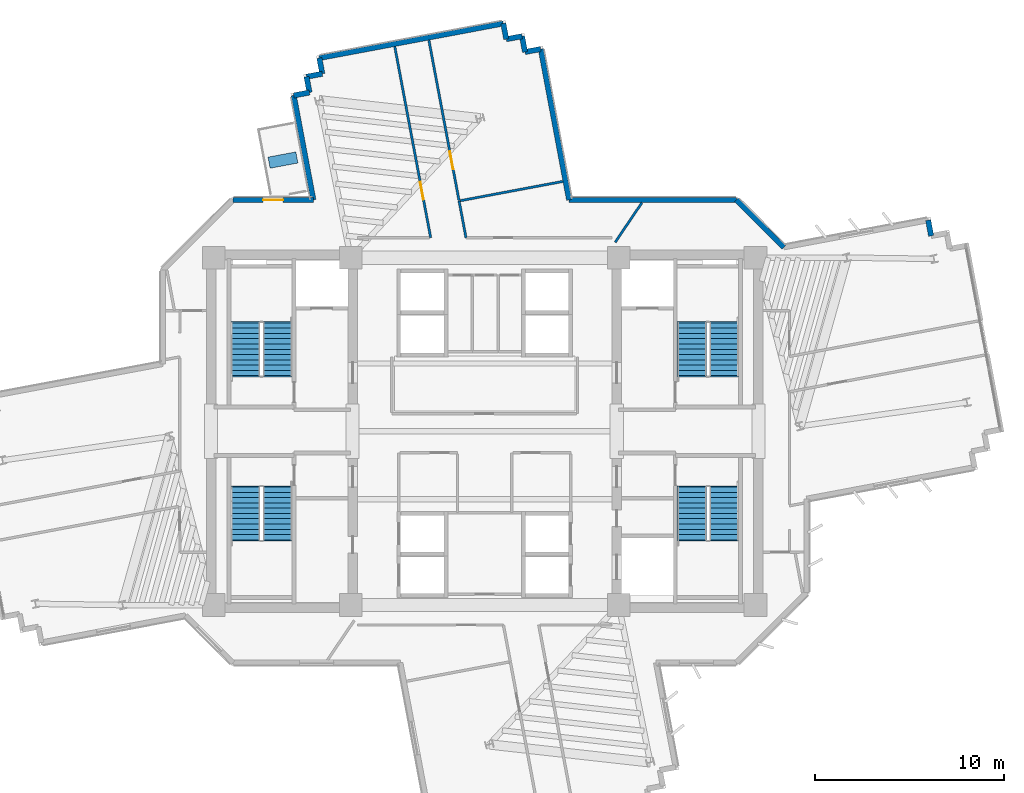
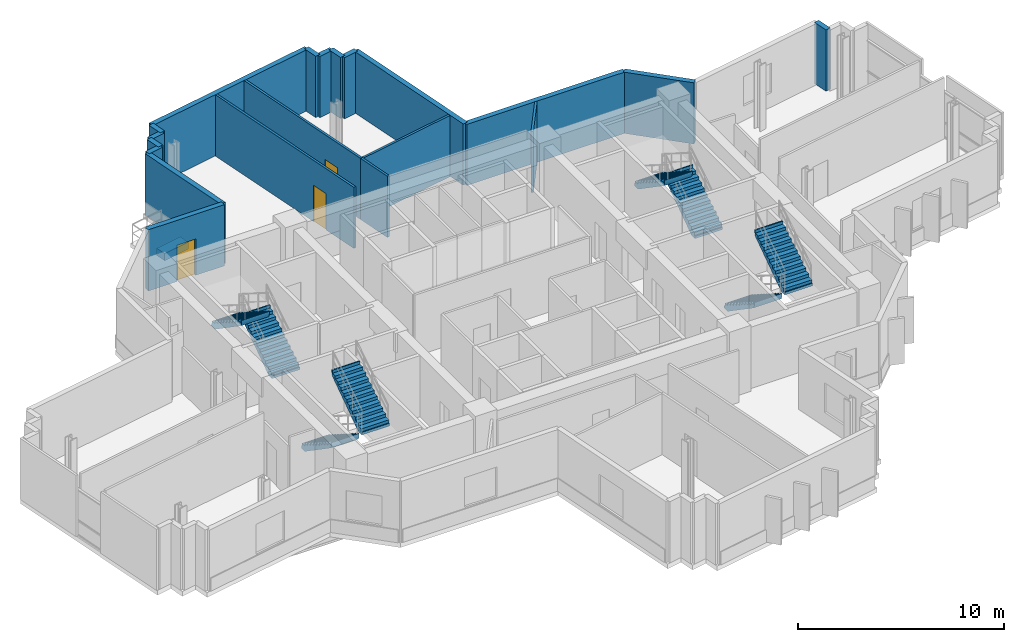
# One storey, part 12 of 16: 20 walls, 8 stair flights, 3 doors, 1 discrete accessory, 3 openings, 4 elements without a shape of their own.
"""IFC4 building model written with IfcOpenShell, lengths in metres."""

from ifc_helpers import new_model, si_unit, direction, frame, frame_2d, origin, origin_2d, place, context, subcontext, project, spatial, polyline, rectangle, outline, extrude, source, transform, mapped, material, layer, layer_set, type_object, element, fill, aggregate, save


model = new_model("IFC4")

# Units and contexts
model_context = context("Model", 3, precision=1e-05, world=origin(), true_north=direction((0.0, 1.0)))
body_context = subcontext(model_context, "Body", "Model", "MODEL_VIEW")
ifc_project = project(units=[si_unit("LENGTHUNIT", "METRE"), si_unit("AREAUNIT", "SQUARE_METRE"), si_unit("VOLUMEUNIT", "CUBIC_METRE"), si_unit("PLANEANGLEUNIT", "RADIAN"), si_unit("MASSUNIT", "GRAM", prefix="KILO")], contexts=[model_context])

# Site, building, storey
site_placement = place(None, origin())
site = spatial("IfcSite", under=ifc_project, at=site_placement, CompositionType="ELEMENT")
building_placement = place(site_placement, origin())
building = spatial("IfcBuilding", under=site, at=building_placement, Name="Zahravan Cultural Tower", CompositionType="ELEMENT")
storey_placement = place(building_placement, frame((0.0, 0.0, 155.10009765625)))
storey = spatial("IfcBuildingStorey", under=building, at=storey_placement, Name="L35", CompositionType="ELEMENT", Elevation=155.10009765625)

# Wall, opening, door
ifc_material_1 = material(Name="Precast concrete C40/50", Category="concrete")
ifc_layer_1 = layer(ifc_material_1, 0.280029296875)
ifc_layer_set_1 = layer_set([ifc_layer_1], Name="Precast concrete C40/50")
wall_type_1 = type_object("IfcWallType", Name="EW-TC-280", PredefinedType="SOLIDWALL", material=ifc_layer_set_1)
wall_1_placement = place(storey_placement, frame((22.657958984375, 39.260009765625, 0.0), z_axis=(0.0, 0.0, 1.0), x_axis=(1.0, 0.0, 0.0)))
wall_1 = element("IfcWall", 1, at=wall_1_placement, inside=storey, type_object=wall_type_1, Name="L35 Exterior Masonry Frame Wall 39", PredefinedType="SOLIDWALL", context=body_context, shape_type="SweptSolid", body=[
    extrude(rectangle(XDim=4.262451171875, YDim=0.280029296875, at=frame_2d((2.13134765625, 0.0))), origin(), (0.0, 0.0, 1.0), 3.619873046875),
])
opening_1_placement = place(wall_1_placement, frame((1.60595703125, 0.0, 0.0)))
opening_1 = element("IfcOpeningElement", 2, at=opening_1_placement, cuts=wall_1, Name="Opening D-L35-TR-NW", PredefinedType="OPENING", context=body_context, shape_type="SweptSolid", body=[
    extrude(rectangle(XDim=1.050048828125, YDim=2.14990234375, at=frame_2d((0.52490234375, 1.074951171875))), frame((0.0, 0.14990234375, 0.0), z_axis=(0.0, -1.0, 0.0), x_axis=(1.0, 0.0, 0.0)), (0.0, 0.0, 1.0), 0.300048828125),
])
ifc_material_2 = material(Name="Anodised bronze-aluminium mullion", Category="aluminium")
door_type_1 = type_object("IfcDoorType", Name="DR-TERR-1050", OperationType="NOTDEFINED", PredefinedType="DOOR", material=ifc_material_2)
shared_shape_1 = source(origin(), body_context, "Body", "SweptSolid", [
    extrude(rectangle(XDim=1.050048828125, YDim=2.14990234375, at=frame_2d((0.52490234375, 1.074951171875))), frame((0.0, 0.02490234375, 0.0), z_axis=(0.0, -1.0, 0.0), x_axis=(1.0, 0.0, 0.0)), (0.0, 0.0, 1.0), 0.050048828125),
])
door_1_placement = place(opening_1_placement, origin())
door_1 = element("IfcDoor", 3, at=door_1_placement, inside=storey, type_object=door_type_1, Name="L35 Terrace Access Door NW", OperationType="SINGLE_SWING_RIGHT", OverallHeight=2.14990234375, OverallWidth=1.050048828125, PredefinedType="DOOR", context=body_context, shape_type="MappedRepresentation", body=[
    mapped(shared_shape_1, transform((0.0, 0.0, 0.0), x_axis=(1.0, 0.0, 0.0), y_axis=(0.0, 1.0, 0.0), z_axis=(0.0, 0.0, 1.0), scale=1.0)),
])
fill(opening_1, door_1)

ifc_material_3 = material(Name="Gypsum plasterboard partition")
ifc_layer_2 = layer(ifc_material_3, 0.125)
ifc_layer_set_2 = layer_set([ifc_layer_2], Name="Gypsum plasterboard partition")
wall_type_2 = type_object("IfcWallType", Name="W-PART-125", PredefinedType="PARTITIONING", material=ifc_layer_set_2)
wall_2_placement = place(storey_placement, frame((34.638671875, 39.22900390625, 0.0), z_axis=(0.0, 0.0, 1.0), x_axis=(-0.18463806937, 0.982806584908, 0.0)))
wall_2 = element("IfcWall", 4, at=wall_2_placement, inside=storey, type_object=wall_type_2, Name="L35 Interior Wall 087", PredefinedType="PARTITIONING", context=body_context, shape_type="SweptSolid", body=[
    extrude(rectangle(XDim=8.64501953125, YDim=0.125, at=frame_2d((4.322509765625, 0.0))), origin(), (0.0, 0.0, 1.0), 3.619873046875),
])
opening_2_placement = place(wall_2_placement, frame((1.69287109375, 0.0, 0.0)))
opening_2 = element("IfcOpeningElement", 5, at=opening_2_placement, cuts=wall_2, Name="Opening D-L35-22", PredefinedType="OPENING", context=body_context, shape_type="SweptSolid", body=[
    extrude(rectangle(XDim=0.949951171875, YDim=2.14990234375, at=frame_2d((0.47509765625, 1.074951171875))), frame((0.0, 0.072509765625, 0.0), z_axis=(0.0, -1.0, 0.0), x_axis=(1.0, 0.0, 0.0)), (0.0, 0.0, 1.0), 0.14501953125),
])
door_type_2 = type_object("IfcDoorType", Name="DR-ROOM-950", OperationType="NOTDEFINED", PredefinedType="DOOR", material=ifc_material_2)
shared_shape_2 = source(origin(), body_context, "Body", "SweptSolid", [
    extrude(rectangle(XDim=0.949951171875, YDim=2.14990234375, at=frame_2d((0.47509765625, 1.074951171875))), frame((0.0, 0.02490234375, 0.0), z_axis=(0.0, -1.0, 0.0), x_axis=(1.0, 0.0, 0.0)), (0.0, 0.0, 1.0), 0.050048828125),
])
door_2_placement = place(opening_2_placement, origin())
door_2 = element("IfcDoor", 6, at=door_2_placement, inside=storey, type_object=door_type_2, Name="L35 Door D-L35-22", OperationType="SINGLE_SWING_RIGHT", OverallHeight=2.14990234375, OverallWidth=0.949951171875, PredefinedType="DOOR", context=body_context, shape_type="MappedRepresentation", body=[
    mapped(shared_shape_2, transform((0.0, 0.0, 0.0), x_axis=(1.0, 0.0, 0.0), y_axis=(0.0, 1.0, 0.0), z_axis=(0.0, 0.0, 1.0), scale=1.0)),
])
fill(opening_2, door_2)

wall_3_placement = place(storey_placement, frame((31.234130859375, 47.385498046875, 0.0), z_axis=(0.0, 0.0, 1.0), x_axis=(0.184646211839, -0.982805055163, 0.0)))
wall_3 = element("IfcWall", 7, at=wall_3_placement, inside=storey, type_object=wall_type_2, Name="L35 Interior Wall 099", PredefinedType="PARTITIONING", context=body_context, shape_type="SweptSolid", body=[
    extrude(rectangle(XDim=10.302734375, YDim=0.125, at=frame_2d((5.1513671875, 0.0))), origin(), (0.0, 0.0, 1.0), 3.619873046875),
])
opening_3_placement = place(wall_3_placement, frame((7.295166015625, 0.0, 0.0)))
opening_3 = element("IfcOpeningElement", 8, at=opening_3_placement, cuts=wall_3, Name="Opening D-L35-23", PredefinedType="OPENING", context=body_context, shape_type="SweptSolid", body=[
    extrude(rectangle(XDim=0.949951171875, YDim=2.14990234375, at=frame_2d((0.47509765625, 1.074951171875))), frame((0.0, 0.072509765625, 0.0), z_axis=(0.0, -1.0, 0.0), x_axis=(1.0, 0.0, 0.0)), (0.0, 0.0, 1.0), 0.14501953125),
])
door_3_placement = place(opening_3_placement, origin())
door_3 = element("IfcDoor", 9, at=door_3_placement, inside=storey, type_object=door_type_2, Name="L35 Door D-L35-23", OperationType="SINGLE_SWING_LEFT", OverallHeight=2.14990234375, OverallWidth=0.949951171875, PredefinedType="DOOR", context=body_context, shape_type="MappedRepresentation", body=[
    mapped(shared_shape_2, transform((0.0, 0.0, 0.0), x_axis=(1.0, 0.0, 0.0), y_axis=(0.0, 1.0, 0.0), z_axis=(0.0, 0.0, 1.0), scale=1.0)),
])
fill(opening_3, door_3)

# Walls
shared_shape_3 = source(origin(), body_context, "Body", "SweptSolid", [
    extrude(rectangle(XDim=0.85009765625, YDim=0.280029296875, at=frame_2d((0.425048828125, 0.0))), origin(), (0.0, 0.0, 1.0), 3.619873046875),
])
for number, where, z_axis, x_axis, name in (
    (10, (59.497802734375, 38.19091796875, 0.0), (0.0, 0.0, 1.0), (0.184670010318, -0.982800583684, 0.0), "L35 Exterior Masonry Frame Wall 02"),
    (11, (25.8798828125, 44.79736328125, 0.0), (0.0, 0.0, 1.0), (0.982800583684, 0.184670010318, 0.0), "L35 Exterior Masonry Frame Wall 41"),
    (12, (26.71533203125, 44.954345703125, 0.0), (0.0, 0.0, 1.0), (-0.184670010318, 0.982800583684, 0.0), "L35 Exterior Masonry Frame Wall 42"),
    (13, (26.558349609375, 45.789794921875, 0.0), (0.0, 0.0, 1.0), (0.982800583684, 0.184670010318, 0.0), "L35 Exterior Masonry Frame Wall 43"),
    (14, (27.393798828125, 45.94677734375, 0.0), (0.0, 0.0, 1.0), (-0.184670010318, 0.982800583684, 0.0), "L35 Exterior Masonry Frame Wall 44"),
    (15, (36.986083984375, 48.61376953125, 0.0), (0.0, 0.0, 1.0), (0.184670010318, -0.982800583684, 0.0), "L35 Exterior Masonry Frame Wall 46"),
    (16, (37.14306640625, 47.7783203125, 0.0), (0.0, 0.0, 1.0), (0.982800583684, 0.184670010318, 0.0), "L35 Exterior Masonry Frame Wall 47"),
    (17, (37.978515625, 47.935302734375, 0.0), (0.0, 0.0, 1.0), (0.184670010318, -0.982800583684, 0.0), "L35 Exterior Masonry Frame Wall 48"),
    (18, (38.135498046875, 47.099853515625, 0.0), (0.0, 0.0, 1.0), (0.982800583684, 0.184670010318, 0.0), "L35 Exterior Masonry Frame Wall 49"),
):
    element("IfcWall", number, at=place(storey_placement, frame(where, z_axis=z_axis, x_axis=x_axis)), inside=storey, type_object=wall_type_1, Name=name, PredefinedType="SOLIDWALL", context=body_context, shape_type="MappedRepresentation", body=[
        mapped(shared_shape_3, transform((0.0, 0.0, 0.0), x_axis=(1.0, 0.0, 0.0), y_axis=(0.0, 1.0, 0.0), z_axis=(0.0, 0.0, 1.0), scale=1.0)),
    ])
shared_shape_4 = source(origin(), body_context, "Body", "SweptSolid", [
    extrude(rectangle(XDim=9.919921875, YDim=0.280029296875, at=frame_2d((4.9599609375, 0.0))), origin(), (0.0, 0.0, 1.0), 3.619873046875),
])
wall_4_placement = place(storey_placement, frame((27.23681640625, 46.7822265625, 0.0), z_axis=(0.0, 0.0, 1.0), x_axis=(0.982807207568, 0.184634754994, 0.0)))
element("IfcWall", 19, at=wall_4_placement, inside=storey, type_object=wall_type_1, Name="L35 Exterior Masonry Frame Wall 45", PredefinedType="SOLIDWALL", context=body_context, shape_type="MappedRepresentation", body=[
    mapped(shared_shape_4, transform((0.0, 0.0, 0.0), x_axis=(1.0, 0.0, 0.0), y_axis=(0.0, 1.0, 0.0), z_axis=(0.0, 0.0, 1.0), scale=1.0)),
])
shared_shape_5 = source(origin(), body_context, "Body", "SweptSolid", [
    extrude(rectangle(XDim=5.63427734375, YDim=0.280029296875, at=frame_2d((2.817138671875, 0.0))), origin(), (0.0, 0.0, 1.0), 3.619873046875),
])
wall_5_placement = place(storey_placement, frame((26.92041015625, 39.260009765625, 0.0), z_axis=(0.0, 0.0, 1.0), x_axis=(-0.184678339457, 0.982799018587, 0.0)))
element("IfcWall", 20, at=wall_5_placement, inside=storey, type_object=wall_type_1, Name="L35 Exterior Masonry Frame Wall 40", PredefinedType="SOLIDWALL", context=body_context, shape_type="MappedRepresentation", body=[
    mapped(shared_shape_5, transform((0.0, 0.0, 0.0), x_axis=(1.0, 0.0, 0.0), y_axis=(0.0, 1.0, 0.0), z_axis=(0.0, 0.0, 1.0), scale=1.0)),
])
shared_shape_6 = source(origin(), body_context, "Body", "SweptSolid", [
    extrude(rectangle(XDim=8.13671875, YDim=0.280029296875, at=frame_2d((4.068359375, 0.0))), origin(), (0.0, 0.0, 1.0), 3.619873046875),
])
wall_6_placement = place(storey_placement, frame((38.970947265625, 47.2568359375, 0.0), z_axis=(0.0, 0.0, 1.0), x_axis=(0.184649032166, -0.982804525285, 0.0)))
element("IfcWall", 21, at=wall_6_placement, inside=storey, type_object=wall_type_1, Name="L35 Exterior Masonry Frame Wall 50", PredefinedType="SOLIDWALL", context=body_context, shape_type="MappedRepresentation", body=[
    mapped(shared_shape_6, transform((0.0, 0.0, 0.0), x_axis=(1.0, 0.0, 0.0), y_axis=(0.0, 1.0, 0.0), z_axis=(0.0, 0.0, 1.0), scale=1.0)),
])
shared_shape_7 = source(origin(), body_context, "Body", "SweptSolid", [
    extrude(rectangle(XDim=8.86865234375, YDim=0.280029296875, at=frame_2d((4.434326171875, 0.0))), origin(), (0.0, 0.0, 1.0), 3.619873046875),
])
wall_7_placement = place(storey_placement, frame((40.473388671875, 39.260009765625, 0.0), z_axis=(0.0, 0.0, 1.0), x_axis=(1.0, 0.0, 0.0)))
element("IfcWall", 22, at=wall_7_placement, inside=storey, type_object=wall_type_1, Name="L35 Exterior Masonry Frame Wall 51", PredefinedType="SOLIDWALL", context=body_context, shape_type="MappedRepresentation", body=[
    mapped(shared_shape_7, transform((0.0, 0.0, 0.0), x_axis=(1.0, 0.0, 0.0), y_axis=(0.0, 1.0, 0.0), z_axis=(0.0, 0.0, 1.0), scale=1.0)),
])
shared_shape_8 = source(origin(), body_context, "Body", "SweptSolid", [
    extrude(rectangle(XDim=3.544189453125, YDim=0.280029296875, at=frame_2d((1.77197265625, 0.0))), origin(), (0.0, 0.0, 1.0), 3.619873046875),
])
wall_8_placement = place(storey_placement, frame((49.342041015625, 39.260009765625, 0.0), z_axis=(0.0, 0.0, 1.0), x_axis=(0.707106781187, -0.707106781187, 0.0)))
element("IfcWall", 23, at=wall_8_placement, inside=storey, type_object=wall_type_1, Name="L35 Exterior Masonry Frame Wall 52", PredefinedType="SOLIDWALL", context=body_context, shape_type="MappedRepresentation", body=[
    mapped(shared_shape_8, transform((0.0, 0.0, 0.0), x_axis=(1.0, 0.0, 0.0), y_axis=(0.0, 1.0, 0.0), z_axis=(0.0, 0.0, 1.0), scale=1.0)),
])
shared_shape_9 = source(origin(), body_context, "Body", "SweptSolid", [
    extrude(rectangle(XDim=1.9833984375, YDim=0.125, at=frame_2d((0.99169921875, 0.0))), origin(), (0.0, 0.0, 1.0), 3.619873046875),
])
wall_9_placement = place(storey_placement, frame((35.008544921875, 37.260009765625, 0.0), z_axis=(0.0, 0.0, 1.0), x_axis=(-0.184645271511, 0.982805231828, 0.0)))
element("IfcWall", 24, at=wall_9_placement, inside=storey, type_object=wall_type_2, Name="L35 Interior Wall 077", PredefinedType="PARTITIONING", context=body_context, shape_type="MappedRepresentation", body=[
    mapped(shared_shape_9, transform((0.0, 0.0, 0.0), x_axis=(1.0, 0.0, 0.0), y_axis=(0.0, 1.0, 0.0), z_axis=(0.0, 0.0, 1.0), scale=1.0)),
])
shared_shape_10 = source(origin(), body_context, "Body", "SweptSolid", [
    extrude(rectangle(XDim=5.52734375, YDim=0.125, at=frame_2d((2.763671875, 0.0))), origin(), (0.0, 0.0, 1.0), 3.619873046875),
])
wall_10_placement = place(storey_placement, frame((34.708740234375, 39.2216796875, 0.0), z_axis=(0.0, 0.0, 1.0), x_axis=(0.982808624954, 0.184627210117, 0.0)))
element("IfcWall", 25, at=wall_10_placement, inside=storey, type_object=wall_type_2, Name="L35 Interior Wall 078", PredefinedType="PARTITIONING", context=body_context, shape_type="MappedRepresentation", body=[
    mapped(shared_shape_10, transform((0.0, 0.0, 0.0), x_axis=(1.0, 0.0, 0.0), y_axis=(0.0, 1.0, 0.0), z_axis=(0.0, 0.0, 1.0), scale=1.0)),
])
shared_shape_11 = source(origin(), body_context, "Body", "SweptSolid", [
    extrude(rectangle(XDim=2.529541015625, YDim=0.125, at=frame_2d((1.2646484375, 0.0))), origin(), (0.0, 0.0, 1.0), 3.619873046875),
])
wall_11_placement = place(storey_placement, frame((44.330322265625, 39.114990234375, 0.0), z_axis=(0.0, 0.0, 1.0), x_axis=(-0.560455418396, -0.82818459536, 0.0)))
element("IfcWall", 26, at=wall_11_placement, inside=storey, type_object=wall_type_2, Name="L35 Interior Wall 079", PredefinedType="PARTITIONING", context=body_context, shape_type="MappedRepresentation", body=[
    mapped(shared_shape_11, transform((0.0, 0.0, 0.0), x_axis=(1.0, 0.0, 0.0), y_axis=(0.0, 1.0, 0.0), z_axis=(0.0, 0.0, 1.0), scale=1.0)),
])

# Stair, stair flights
ifc_material_4 = material(Name="Concrete C45/55", Category="concrete")
stair_type = type_object("IfcStairType", Name="STR-DL-1550-390", PredefinedType="HALF_TURN_STAIR", material=ifc_material_4)
stair_1_placement = place(storey_placement, origin())
stair_1 = element("IfcStair", 27, at=stair_1_placement, inside=storey, type_object=stair_type, Name="L35 West Core North Exit Stair ST-W1", PredefinedType="HALF_TURN_STAIR")
stair_flight_type = type_object("IfcStairFlightType", Name="FLG-DL-1550-390", PredefinedType="STRAIGHT", material=ifc_material_4)
stair_flight_1_placement = place(storey_placement, frame((25.02490234375, 29.949951171875, 0.0), z_axis=(0.0, 0.0, 1.0), x_axis=(0.0, 1.0, 0.0)))
stair_flight_1 = element("IfcStairFlight", 28, at=stair_flight_1_placement, type_object=stair_flight_type, Name="ST-W1 flight 1", NumberOfRisers=11, NumberOfTreads=10, PredefinedType="STRAIGHT", RiserHeight=0.177272727, TreadLength=0.28, context=body_context, shape_type="SweptSolid", body=[
    extrude(outline(polyline([(-0.06494140625, -0.139892578125), (-0.06494140625, 0.0), (0.0, 0.0), (0.0, 0.17724609375), (0.280029296875, 0.17724609375), (0.280029296875, 0.3544921875), (0.56005859375, 0.3544921875), (0.56005859375, 0.53173828125), (0.840087890625, 0.53173828125), (0.840087890625, 0.708984375), (1.1201171875, 0.708984375), (1.1201171875, 0.886474609375), (1.39990234375, 0.886474609375), (1.39990234375, 1.063720703125), (1.679931640625, 1.063720703125), (1.679931640625, 1.240966796875), (1.9599609375, 1.240966796875), (1.9599609375, 1.418212890625), (2.239990234375, 1.418212890625), (2.239990234375, 1.595458984375), (2.52001953125, 1.595458984375), (2.52001953125, 1.772705078125), (2.800048828125, 1.772705078125), (2.800048828125, 1.949951171875), (2.864990234375, 1.949951171875), (2.864990234375, 1.800048828125), (2.800048828125, 1.59521484375), (0.2802734375, -0.139892578125), (-0.06494140625, -0.139892578125)])), frame((0.0, 0.77490234375, 0.0), z_axis=(0.0, -1.0, 0.0), x_axis=(1.0, 0.0, 0.0)), (0.0, 0.0, 1.0), 1.550048828125),
])
stair_flight_2_placement = place(storey_placement, frame((23.324951171875, 32.75, 1.949951171875), z_axis=(0.0, 0.0, 1.0), x_axis=(0.0, -1.0, 0.0)))
stair_flight_2 = element("IfcStairFlight", 29, at=stair_flight_2_placement, type_object=stair_flight_type, Name="ST-W1 flight 2", NumberOfRisers=11, NumberOfTreads=10, PredefinedType="STRAIGHT", RiserHeight=0.177272727, TreadLength=0.28, context=body_context, shape_type="SweptSolid", body=[
    extrude(outline(polyline([(-0.06494140625, -0.139892578125), (-0.06494140625, 0.0), (0.0, 0.0), (0.0, 0.17724609375), (0.280029296875, 0.17724609375), (0.280029296875, 0.3544921875), (0.56005859375, 0.3544921875), (0.56005859375, 0.53173828125), (0.840087890625, 0.53173828125), (0.840087890625, 0.708984375), (1.1201171875, 0.708984375), (1.1201171875, 0.886474609375), (1.39990234375, 0.886474609375), (1.39990234375, 1.063720703125), (1.679931640625, 1.063720703125), (1.679931640625, 1.240966796875), (1.9599609375, 1.240966796875), (1.9599609375, 1.418212890625), (2.239990234375, 1.418212890625), (2.239990234375, 1.595458984375), (2.52001953125, 1.595458984375), (2.52001953125, 1.772705078125), (2.800048828125, 1.772705078125), (2.800048828125, 1.949951171875), (2.864990234375, 1.949951171875), (2.864990234375, 1.800048828125), (2.800048828125, 1.59521484375), (0.2802734375, -0.139892578125), (-0.06494140625, -0.139892578125)])), frame((0.0, 0.77490234375, 0.0), z_axis=(0.0, -1.0, 0.0), x_axis=(1.0, 0.0, 0.0)), (0.0, 0.0, 1.0), 1.550048828125),
])
aggregate(stair_1, [stair_flight_1, stair_flight_2])

stair_2_placement = place(storey_placement, origin())
stair_2 = element("IfcStair", 30, at=stair_2_placement, inside=storey, type_object=stair_type, Name="L35 West Core South Exit Stair ST-W2", PredefinedType="HALF_TURN_STAIR")
stair_flight_3_placement = place(storey_placement, frame((23.324951171875, 24.050048828125, 0.0), z_axis=(0.0, 0.0, 1.0), x_axis=(0.0, -1.0, 0.0)))
stair_flight_3 = element("IfcStairFlight", 31, at=stair_flight_3_placement, type_object=stair_flight_type, Name="ST-W2 flight 1", NumberOfRisers=11, NumberOfTreads=10, PredefinedType="STRAIGHT", RiserHeight=0.177272727, TreadLength=0.28, context=body_context, shape_type="SweptSolid", body=[
    extrude(outline(polyline([(-0.06494140625, -0.139892578125), (-0.06494140625, 0.0), (0.0, 0.0), (0.0, 0.17724609375), (0.280029296875, 0.17724609375), (0.280029296875, 0.3544921875), (0.56005859375, 0.3544921875), (0.56005859375, 0.53173828125), (0.840087890625, 0.53173828125), (0.840087890625, 0.708984375), (1.1201171875, 0.708984375), (1.1201171875, 0.886474609375), (1.39990234375, 0.886474609375), (1.39990234375, 1.063720703125), (1.679931640625, 1.063720703125), (1.679931640625, 1.240966796875), (1.9599609375, 1.240966796875), (1.9599609375, 1.418212890625), (2.239990234375, 1.418212890625), (2.239990234375, 1.595458984375), (2.52001953125, 1.595458984375), (2.52001953125, 1.772705078125), (2.800048828125, 1.772705078125), (2.800048828125, 1.949951171875), (2.864990234375, 1.949951171875), (2.864990234375, 1.800048828125), (2.800048828125, 1.59521484375), (0.2802734375, -0.139892578125), (-0.06494140625, -0.139892578125)])), frame((0.0, 0.77490234375, 0.0), z_axis=(0.0, -1.0, 0.0), x_axis=(1.0, 0.0, 0.0)), (0.0, 0.0, 1.0), 1.550048828125),
])
stair_flight_4_placement = place(storey_placement, frame((25.02490234375, 21.25, 1.949951171875), z_axis=(0.0, 0.0, 1.0), x_axis=(0.0, 1.0, 0.0)))
stair_flight_4 = element("IfcStairFlight", 32, at=stair_flight_4_placement, type_object=stair_flight_type, Name="ST-W2 flight 2", NumberOfRisers=11, NumberOfTreads=10, PredefinedType="STRAIGHT", RiserHeight=0.177272727, TreadLength=0.28, context=body_context, shape_type="SweptSolid", body=[
    extrude(outline(polyline([(-0.06494140625, -0.139892578125), (-0.06494140625, 0.0), (0.0, 0.0), (0.0, 0.17724609375), (0.280029296875, 0.17724609375), (0.280029296875, 0.3544921875), (0.56005859375, 0.3544921875), (0.56005859375, 0.53173828125), (0.840087890625, 0.53173828125), (0.840087890625, 0.708984375), (1.1201171875, 0.708984375), (1.1201171875, 0.886474609375), (1.39990234375, 0.886474609375), (1.39990234375, 1.063720703125), (1.679931640625, 1.063720703125), (1.679931640625, 1.240966796875), (1.9599609375, 1.240966796875), (1.9599609375, 1.418212890625), (2.239990234375, 1.418212890625), (2.239990234375, 1.595458984375), (2.52001953125, 1.595458984375), (2.52001953125, 1.772705078125), (2.800048828125, 1.772705078125), (2.800048828125, 1.949951171875), (2.864990234375, 1.949951171875), (2.864990234375, 1.800048828125), (2.800048828125, 1.59521484375), (0.2802734375, -0.139892578125), (-0.06494140625, -0.139892578125)])), frame((0.0, 0.77490234375, 0.0), z_axis=(0.0, -1.0, 0.0), x_axis=(1.0, 0.0, 0.0)), (0.0, 0.0, 1.0), 1.550048828125),
])
aggregate(stair_2, [stair_flight_3, stair_flight_4])

stair_3_placement = place(storey_placement, origin())
stair_3 = element("IfcStair", 33, at=stair_3_placement, inside=storey, type_object=stair_type, Name="L35 East Core North Exit Stair ST-E1", PredefinedType="HALF_TURN_STAIR")
stair_flight_5_placement = place(storey_placement, frame((48.675048828125, 29.949951171875, 0.0), z_axis=(0.0, 0.0, 1.0), x_axis=(0.0, 1.0, 0.0)))
stair_flight_5 = element("IfcStairFlight", 34, at=stair_flight_5_placement, type_object=stair_flight_type, Name="ST-E1 flight 1", NumberOfRisers=11, NumberOfTreads=10, PredefinedType="STRAIGHT", RiserHeight=0.177272727, TreadLength=0.28, context=body_context, shape_type="SweptSolid", body=[
    extrude(outline(polyline([(-0.06494140625, -0.139892578125), (-0.06494140625, 0.0), (0.0, 0.0), (0.0, 0.17724609375), (0.280029296875, 0.17724609375), (0.280029296875, 0.3544921875), (0.56005859375, 0.3544921875), (0.56005859375, 0.53173828125), (0.840087890625, 0.53173828125), (0.840087890625, 0.708984375), (1.1201171875, 0.708984375), (1.1201171875, 0.886474609375), (1.39990234375, 0.886474609375), (1.39990234375, 1.063720703125), (1.679931640625, 1.063720703125), (1.679931640625, 1.240966796875), (1.9599609375, 1.240966796875), (1.9599609375, 1.418212890625), (2.239990234375, 1.418212890625), (2.239990234375, 1.595458984375), (2.52001953125, 1.595458984375), (2.52001953125, 1.772705078125), (2.800048828125, 1.772705078125), (2.800048828125, 1.949951171875), (2.864990234375, 1.949951171875), (2.864990234375, 1.800048828125), (2.800048828125, 1.59521484375), (0.2802734375, -0.139892578125), (-0.06494140625, -0.139892578125)])), frame((0.0, 0.77490234375, 0.0), z_axis=(0.0, -1.0, 0.0), x_axis=(1.0, 0.0, 0.0)), (0.0, 0.0, 1.0), 1.550048828125),
])
stair_flight_6_placement = place(storey_placement, frame((46.97509765625, 32.75, 1.949951171875), z_axis=(0.0, 0.0, 1.0), x_axis=(0.0, -1.0, 0.0)))
stair_flight_6 = element("IfcStairFlight", 35, at=stair_flight_6_placement, type_object=stair_flight_type, Name="ST-E1 flight 2", NumberOfRisers=11, NumberOfTreads=10, PredefinedType="STRAIGHT", RiserHeight=0.177272727, TreadLength=0.28, context=body_context, shape_type="SweptSolid", body=[
    extrude(outline(polyline([(-0.06494140625, -0.139892578125), (-0.06494140625, 0.0), (0.0, 0.0), (0.0, 0.17724609375), (0.280029296875, 0.17724609375), (0.280029296875, 0.3544921875), (0.56005859375, 0.3544921875), (0.56005859375, 0.53173828125), (0.840087890625, 0.53173828125), (0.840087890625, 0.708984375), (1.1201171875, 0.708984375), (1.1201171875, 0.886474609375), (1.39990234375, 0.886474609375), (1.39990234375, 1.063720703125), (1.679931640625, 1.063720703125), (1.679931640625, 1.240966796875), (1.9599609375, 1.240966796875), (1.9599609375, 1.418212890625), (2.239990234375, 1.418212890625), (2.239990234375, 1.595458984375), (2.52001953125, 1.595458984375), (2.52001953125, 1.772705078125), (2.800048828125, 1.772705078125), (2.800048828125, 1.949951171875), (2.864990234375, 1.949951171875), (2.864990234375, 1.800048828125), (2.800048828125, 1.59521484375), (0.2802734375, -0.139892578125), (-0.06494140625, -0.139892578125)])), frame((0.0, 0.77490234375, 0.0), z_axis=(0.0, -1.0, 0.0), x_axis=(1.0, 0.0, 0.0)), (0.0, 0.0, 1.0), 1.550048828125),
])
aggregate(stair_3, [stair_flight_5, stair_flight_6])

stair_4_placement = place(storey_placement, origin())
stair_4 = element("IfcStair", 36, at=stair_4_placement, inside=storey, type_object=stair_type, Name="L35 East Core South Exit Stair ST-E2", PredefinedType="HALF_TURN_STAIR")
stair_flight_7_placement = place(storey_placement, frame((46.97509765625, 24.050048828125, 0.0), z_axis=(0.0, 0.0, 1.0), x_axis=(0.0, -1.0, 0.0)))
stair_flight_7 = element("IfcStairFlight", 37, at=stair_flight_7_placement, type_object=stair_flight_type, Name="ST-E2 flight 1", NumberOfRisers=11, NumberOfTreads=10, PredefinedType="STRAIGHT", RiserHeight=0.177272727, TreadLength=0.28, context=body_context, shape_type="SweptSolid", body=[
    extrude(outline(polyline([(-0.06494140625, -0.139892578125), (-0.06494140625, 0.0), (0.0, 0.0), (0.0, 0.17724609375), (0.280029296875, 0.17724609375), (0.280029296875, 0.3544921875), (0.56005859375, 0.3544921875), (0.56005859375, 0.53173828125), (0.840087890625, 0.53173828125), (0.840087890625, 0.708984375), (1.1201171875, 0.708984375), (1.1201171875, 0.886474609375), (1.39990234375, 0.886474609375), (1.39990234375, 1.063720703125), (1.679931640625, 1.063720703125), (1.679931640625, 1.240966796875), (1.9599609375, 1.240966796875), (1.9599609375, 1.418212890625), (2.239990234375, 1.418212890625), (2.239990234375, 1.595458984375), (2.52001953125, 1.595458984375), (2.52001953125, 1.772705078125), (2.800048828125, 1.772705078125), (2.800048828125, 1.949951171875), (2.864990234375, 1.949951171875), (2.864990234375, 1.800048828125), (2.800048828125, 1.59521484375), (0.2802734375, -0.139892578125), (-0.06494140625, -0.139892578125)])), frame((0.0, 0.77490234375, 0.0), z_axis=(0.0, -1.0, 0.0), x_axis=(1.0, 0.0, 0.0)), (0.0, 0.0, 1.0), 1.550048828125),
])
stair_flight_8_placement = place(storey_placement, frame((48.675048828125, 21.25, 1.949951171875), z_axis=(0.0, 0.0, 1.0), x_axis=(0.0, 1.0, 0.0)))
stair_flight_8 = element("IfcStairFlight", 38, at=stair_flight_8_placement, type_object=stair_flight_type, Name="ST-E2 flight 2", NumberOfRisers=11, NumberOfTreads=10, PredefinedType="STRAIGHT", RiserHeight=0.177272727, TreadLength=0.28, context=body_context, shape_type="SweptSolid", body=[
    extrude(outline(polyline([(-0.06494140625, -0.139892578125), (-0.06494140625, 0.0), (0.0, 0.0), (0.0, 0.17724609375), (0.280029296875, 0.17724609375), (0.280029296875, 0.3544921875), (0.56005859375, 0.3544921875), (0.56005859375, 0.53173828125), (0.840087890625, 0.53173828125), (0.840087890625, 0.708984375), (1.1201171875, 0.708984375), (1.1201171875, 0.886474609375), (1.39990234375, 0.886474609375), (1.39990234375, 1.063720703125), (1.679931640625, 1.063720703125), (1.679931640625, 1.240966796875), (1.9599609375, 1.240966796875), (1.9599609375, 1.418212890625), (2.239990234375, 1.418212890625), (2.239990234375, 1.595458984375), (2.52001953125, 1.595458984375), (2.52001953125, 1.772705078125), (2.800048828125, 1.772705078125), (2.800048828125, 1.949951171875), (2.864990234375, 1.949951171875), (2.864990234375, 1.800048828125), (2.800048828125, 1.59521484375), (0.2802734375, -0.139892578125), (-0.06494140625, -0.139892578125)])), frame((0.0, 0.77490234375, 0.0), z_axis=(0.0, -1.0, 0.0), x_axis=(1.0, 0.0, 0.0)), (0.0, 0.0, 1.0), 1.550048828125),
])
aggregate(stair_4, [stair_flight_7, stair_flight_8])

# Discrete accessory
ifc_material_5 = material(Name="Planted soil and terracotta planter", Category="masonry")
discrete_accessory_type = type_object("IfcDiscreteAccessoryType", Name="ACC-PLANTER-TC", PredefinedType="USERDEFINED", material=ifc_material_5)
shared_shape_12 = source(origin(), body_context, "Body", "SweptSolid", [
    extrude(rectangle(XDim=1.5, YDim=0.60009765625, at=origin_2d()), origin(), (0.0, 0.0, 1.0), 0.419921875),
])
discrete_accessory_placement = place(storey_placement, frame((25.309814453125, 41.373291015625, 0.0), z_axis=(0.0, 0.0, 1.0), x_axis=(0.982806687355, 0.184637524056, 0.0)))
element("IfcDiscreteAccessory", 39, at=discrete_accessory_placement, inside=storey, type_object=discrete_accessory_type, Name="L35 Terracotta Sculpture Planter NW", ObjectType="PLANTER", PredefinedType="USERDEFINED", context=body_context, shape_type="MappedRepresentation", body=[
    mapped(shared_shape_12, transform((0.0, 0.0, 0.0), x_axis=(1.0, 0.0, 0.0), y_axis=(0.0, 1.0, 0.0), z_axis=(0.0, 0.0, 1.0), scale=1.0)),
])

save(model, "model.ifc")
